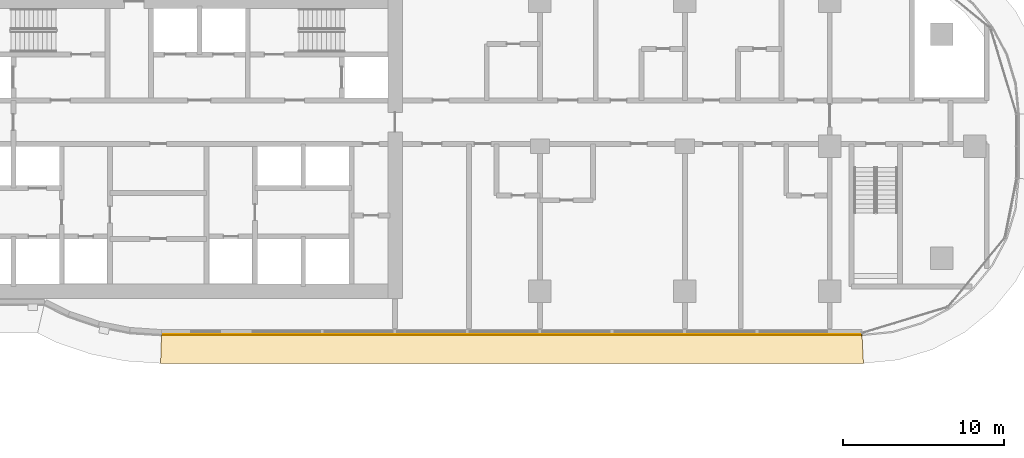
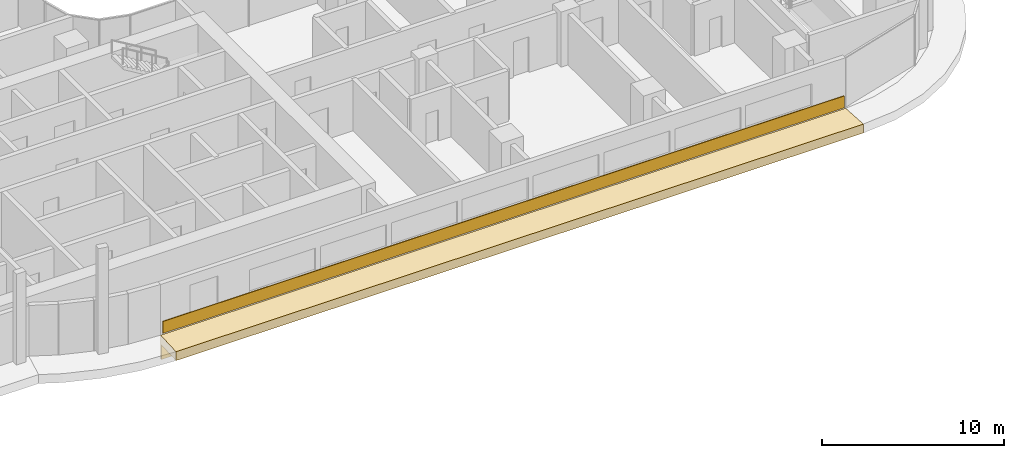
# One storey, part 30 of 36: 3 coverings.
"""IFC4 building model written with IfcOpenShell, lengths in metres."""

from ifc_helpers import new_model, si_unit, direction, frame, origin, origin_2d, place, context, subcontext, project, spatial, polyline, rectangle, outline, extrude, material, layer, layer_set, type_object, element, save


model = new_model("IFC4")

# Units and contexts
model_context = context("Model", 3, precision=1e-05, world=origin(), true_north=direction((0.0, 1.0)))
body_context = subcontext(model_context, "Body", "Model", "MODEL_VIEW")
ifc_project = project(units=[si_unit("LENGTHUNIT", "METRE"), si_unit("AREAUNIT", "SQUARE_METRE"), si_unit("VOLUMEUNIT", "CUBIC_METRE"), si_unit("PLANEANGLEUNIT", "RADIAN"), si_unit("MASSUNIT", "GRAM", prefix="KILO")], contexts=[model_context])

# Site, building, storey
site_placement = place(None, origin())
site = spatial("IfcSite", under=ifc_project, at=site_placement, CompositionType="ELEMENT")
building_placement = place(site_placement, origin())
building = spatial("IfcBuilding", under=site, at=building_placement, Name="Ogive Portal Towers", CompositionType="ELEMENT")
storey_placement = place(building_placement, frame((0.0, 0.0, 63.10009765625)))
storey = spatial("IfcBuildingStorey", under=building, at=storey_placement, Name="L14", CompositionType="ELEMENT", Elevation=63.10009765625)

# Coverings
ifc_material = material(Name="Limestone cladding on lightweight block wall", Category="masonry")
ifc_layer_1 = layer(ifc_material, 0.050048828125)
ifc_layer_set_1 = layer_set([ifc_layer_1], Name="SCREEN PERFORATED STONE")
covering_type_1 = type_object("IfcCoveringType", Name="SCREEN PERFORATED STONE", PredefinedType="CLADDING", material=ifc_layer_set_1)
covering_1_placement = place(storey_placement, frame((65.7490234375, 18.794921875, 0.10009765625), z_axis=(0.0, 0.0, 1.0), x_axis=(1.0, 0.0, 0.0)))
element("IfcCovering", 1, at=covering_1_placement, inside=storey, type_object=covering_type_1, Name="Tracery screen", PredefinedType="CLADDING", context=body_context, shape_type="SweptSolid", body=[
    extrude(rectangle(XDim=43.2783203125, YDim=0.050048828125, at=origin_2d()), origin(), (0.0, 0.0, 1.0), 0.800048828125),
])
ifc_layer_2 = layer(ifc_material, 0.080078125)
ifc_layer_set_2 = layer_set([ifc_layer_2], Name="STONE SPANDREL 80")
covering_type_2 = type_object("IfcCoveringType", Name="STONE SPANDREL 80", PredefinedType="CLADDING", material=ifc_layer_set_2)
covering_2_placement = place(storey_placement, frame((0.0, 0.0, -1.60009765625)))
element("IfcCovering", 2, at=covering_2_placement, inside=storey, type_object=covering_type_2, Name="Stone spandrel A1-F05", PredefinedType="CLADDING", context=body_context, shape_type="SweptSolid", body=[
    extrude(outline(polyline([(44.0, 18.820068359375), (87.5, 18.820068359375), (87.50390625, 18.739990234375), (43.997314453125, 18.739990234375), (44.0, 18.820068359375)])), origin(), (0.0, 0.0, 1.0), 1.0),
])
ifc_layer_3 = layer(ifc_material, 0.60009765625)
ifc_layer_set_3 = layer_set([ifc_layer_3], Name="SUNSHADE LIP 600")
covering_type_3 = type_object("IfcCoveringType", Name="SUNSHADE LIP 600", PredefinedType="CLADDING", material=ifc_layer_set_3)
covering_3_placement = place(storey_placement, frame((0.0, 0.0, -0.60009765625)))
element("IfcCovering", 3, at=covering_3_placement, inside=storey, type_object=covering_type_3, Name="Sunshade lip A1-F05", PredefinedType="CLADDING", context=body_context, shape_type="SweptSolid", body=[
    extrude(outline(polyline([(44.0, 18.820068359375), (87.5, 18.820068359375), (87.58837890625, 17.02001953125), (43.941162109375, 17.02001953125), (44.0, 18.820068359375)])), origin(), (0.0, 0.0, 1.0), 0.60009765625),
])

save(model, "model.ifc")
